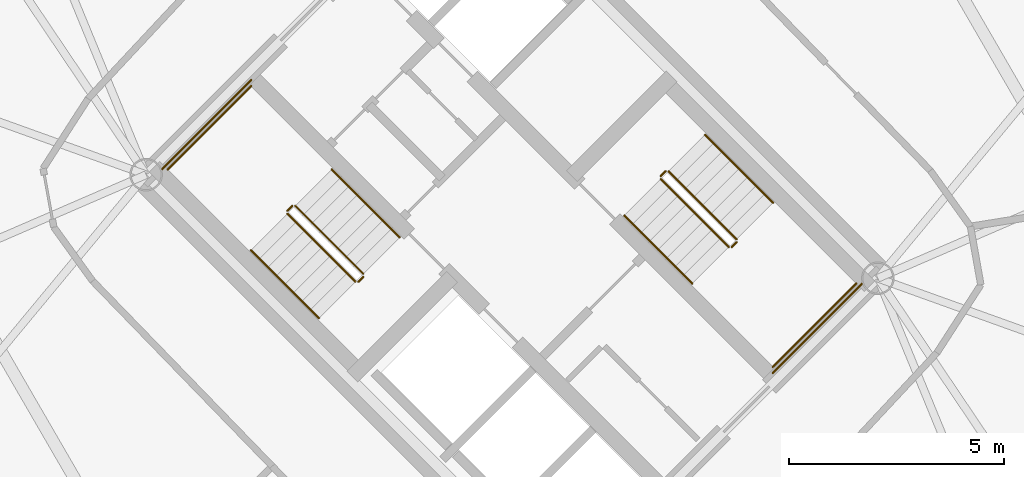
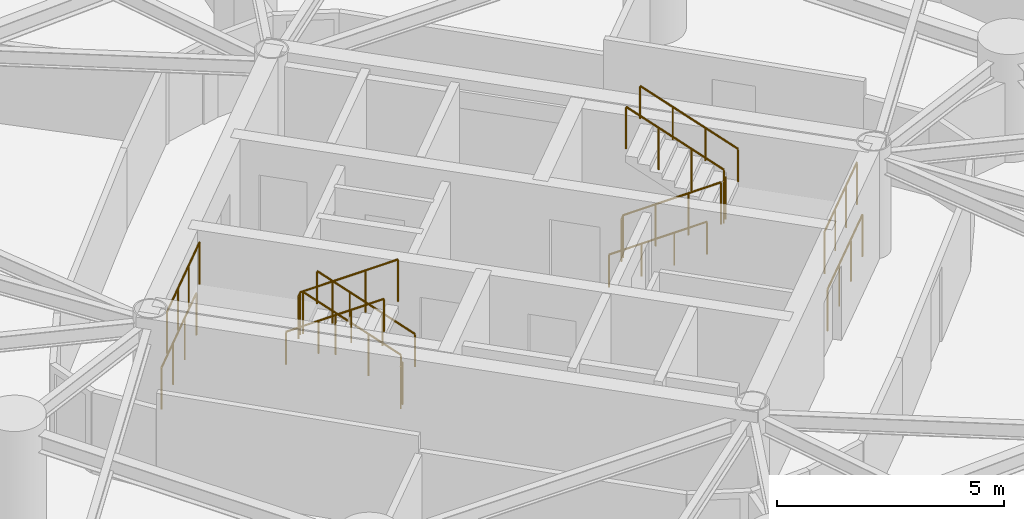
# One storey, part 17 of 18: 16 railings.
"""IFC4 building model written with IfcOpenShell, lengths in metres."""

from ifc_helpers import new_model, si_unit, direction, frame, origin, origin_2d, place, context, subcontext, project, spatial, circle, extrude, material, type_object, element, save


model = new_model("IFC4")

# Units and contexts
model_context = context("Model", 3, precision=1e-05, world=origin(), true_north=direction((0.0, 1.0)))
body_context = subcontext(model_context, "Body", "Model", "MODEL_VIEW")
ifc_project = project(units=[si_unit("LENGTHUNIT", "METRE"), si_unit("AREAUNIT", "SQUARE_METRE"), si_unit("VOLUMEUNIT", "CUBIC_METRE"), si_unit("PLANEANGLEUNIT", "RADIAN"), si_unit("MASSUNIT", "GRAM", prefix="KILO")], contexts=[model_context])

# Site, building, storey
site_placement = place(None, origin())
site = spatial("IfcSite", under=ifc_project, at=site_placement, CompositionType="ELEMENT")
building_placement = place(site_placement, origin())
building = spatial("IfcBuilding", under=site, at=building_placement, Name="Cununo Teusaquillo Station Towers", CompositionType="ELEMENT")
storey_placement = place(building_placement, frame((0.0, 0.0, 122.530029296875)))
storey = spatial("IfcBuildingStorey", under=building, at=storey_placement, Name="L39", CompositionType="ELEMENT", Elevation=122.530029296875)

# Railings
ifc_material_1 = material(Name="Steel EN 10025-2 S355J2", Category="steel")
railing_type_1 = type_object("IfcRailingType", Name="RL-INT-GUARD", PredefinedType="GUARDRAIL", material=ifc_material_1)
railing_1_placement = place(storey_placement, frame((54.03515625, 23.39697265625, 0.16162109375)))
element("IfcRailing", 1, at=railing_1_placement, inside=storey, type_object=railing_type_1, Name="L39 ST-T2-1 stair guard 1", PredefinedType="GUARDRAIL", context=body_context, shape_type="SweptSolid", body=[
    extrude(circle(Radius=0.02392578125, at=origin_2d()), frame((0.0, 0.0, 1.1259765625), z_axis=(-0.612332353853, 0.612332353853, 0.500098167213), x_axis=(-0.707106781187, -0.707106781187, 0.0)), (0.0, 0.0, 1.0), 2.58642578125),
    extrude(circle(Radius=0.02099609375, at=origin_2d()), origin(), (0.0, 0.0, 1.0), 1.101806640625),
    extrude(circle(Radius=0.02099609375, at=origin_2d()), frame((-0.52783203125, 0.52783203125, 0.43115234375)), (0.0, 0.0, 1.0), 1.101806640625),
    extrude(circle(Radius=0.02099609375, at=origin_2d()), frame((-1.055908203125, 1.055908203125, 0.8623046875)), (0.0, 0.0, 1.0), 1.101806640625),
    extrude(circle(Radius=0.02099609375, at=origin_2d()), frame((-1.583740234375, 1.583740234375, 1.29345703125)), (0.0, 0.0, 1.0), 1.101806640625),
])
railing_2_placement = place(storey_placement, frame((52.380615234375, 24.980712890625, 1.455078125)))
element("IfcRailing", 2, at=railing_2_placement, inside=storey, type_object=railing_type_1, Name="L39 ST-T2-1 stair guard 2", PredefinedType="GUARDRAIL", context=body_context, shape_type="SweptSolid", body=[
    extrude(circle(Radius=0.02392578125, at=origin_2d()), frame((0.0, 0.0, 1.1259765625), z_axis=(-0.7078691598, -0.706343579714, 0.0), x_axis=(0.706343579714, -0.7078691598, 0.0)), (0.0, 0.0, 1.0), 0.159912109375),
    extrude(circle(Radius=0.02099609375, at=origin_2d()), origin(), (0.0, 0.0, 1.0), 1.101806640625),
    extrude(circle(Radius=0.02099609375, at=origin_2d()), frame((-0.11328125, -0.113037109375, 0.0)), (0.0, 0.0, 1.0), 1.101806640625),
])
railing_3_placement = place(storey_placement, frame((51.426025390625, 27.77392578125, 1.455078125)))
element("IfcRailing", 3, at=railing_3_placement, inside=storey, type_object=railing_type_1, Name="L39 ST-T2-1 stair guard 3", PredefinedType="GUARDRAIL", context=body_context, shape_type="SweptSolid", body=[
    extrude(circle(Radius=0.02392578125, at=origin_2d()), frame((0.0, 0.0, 1.1259765625), z_axis=(-0.707106781187, -0.707106781187, 0.0), x_axis=(0.707106781187, -0.707106781187, 0.0)), (0.0, 0.0, 1.0), 2.760009765625),
    extrude(circle(Radius=0.02099609375, at=origin_2d()), origin(), (0.0, 0.0, 1.0), 1.101806640625),
    extrude(circle(Radius=0.02099609375, at=origin_2d()), frame((-0.650634765625, -0.650634765625, 0.0)), (0.0, 0.0, 1.0), 1.101806640625),
    extrude(circle(Radius=0.02099609375, at=origin_2d()), frame((-1.301025390625, -1.301025390625, 0.0)), (0.0, 0.0, 1.0), 1.101806640625),
    extrude(circle(Radius=0.02099609375, at=origin_2d()), frame((-1.95166015625, -1.95166015625, 0.0)), (0.0, 0.0, 1.0), 1.101806640625),
])
railing_4_placement = place(storey_placement, frame((52.267333984375, 24.796875, 1.61669921875)))
element("IfcRailing", 4, at=railing_4_placement, inside=storey, type_object=railing_type_1, Name="L39 ST-T2-1 stair guard 4", PredefinedType="GUARDRAIL", context=body_context, shape_type="SweptSolid", body=[
    extrude(circle(Radius=0.02392578125, at=origin_2d()), frame((0.0, 0.0, 1.1259765625), z_axis=(0.612420254088, -0.612325861324, 0.499998471934), x_axis=(0.707052281454, 0.707161276719, 0.0)), (0.0, 0.0, 1.0), 2.58642578125),
    extrude(circle(Radius=0.02099609375, at=origin_2d()), origin(), (0.0, 0.0, 1.0), 1.101806640625),
    extrude(circle(Radius=0.02099609375, at=origin_2d()), frame((0.528076171875, -0.52783203125, 0.43115234375)), (0.0, 0.0, 1.0), 1.101806640625),
    extrude(circle(Radius=0.02099609375, at=origin_2d()), frame((1.055908203125, -1.055908203125, 0.862060546875)), (0.0, 0.0, 1.0), 1.101806640625),
    extrude(circle(Radius=0.02099609375, at=origin_2d()), frame((1.583984375, -1.583740234375, 1.293212890625)), (0.0, 0.0, 1.0), 1.101806640625),
])
railing_5_placement = place(storey_placement, frame((54.03515625, 23.326171875, 0.0)))
element("IfcRailing", 5, at=railing_5_placement, inside=storey, type_object=railing_type_1, Name="L39 ST-T2-1 stair guard 5", PredefinedType="GUARDRAIL", context=body_context, shape_type="SweptSolid", body=[
    extrude(circle(Radius=0.02392578125, at=origin_2d()), frame((0.0, 0.0, 1.1259765625), z_axis=(-0.707106781187, -0.707106781187, 0.0), x_axis=(0.707106781187, -0.707106781187, 0.0)), (0.0, 0.0, 1.0), 0.159912109375),
    extrude(circle(Radius=0.02099609375, at=origin_2d()), origin(), (0.0, 0.0, 1.0), 1.101806640625),
    extrude(circle(Radius=0.02099609375, at=origin_2d()), frame((-0.113037109375, -0.113037109375, 0.0)), (0.0, 0.0, 1.0), 1.101806640625),
])
railing_6_placement = place(storey_placement, frame((51.426025390625, 27.915283203125, 0.0)))
element("IfcRailing", 6, at=railing_6_placement, inside=storey, type_object=railing_type_1, Name="L39 ST-T2-1 stair guard 6", PredefinedType="GUARDRAIL", context=body_context, shape_type="SweptSolid", body=[
    extrude(circle(Radius=0.02392578125, at=origin_2d()), frame((0.0, 0.0, 1.1259765625), z_axis=(-0.707106781187, -0.707106781187, 0.0), x_axis=(0.707106781187, -0.707106781187, 0.0)), (0.0, 0.0, 1.0), 2.9599609375),
    extrude(circle(Radius=0.02099609375, at=origin_2d()), origin(), (0.0, 0.0, 1.0), 1.101806640625),
    extrude(circle(Radius=0.02099609375, at=origin_2d()), frame((-0.69775390625, -0.69775390625, 0.0)), (0.0, 0.0, 1.0), 1.101806640625),
    extrude(circle(Radius=0.02099609375, at=origin_2d()), frame((-1.395263671875, -1.395263671875, 0.0)), (0.0, 0.0, 1.0), 1.101806640625),
    extrude(circle(Radius=0.02099609375, at=origin_2d()), frame((-2.093017578125, -2.093017578125, 0.0)), (0.0, 0.0, 1.0), 1.101806640625),
])
railing_7_placement = place(storey_placement, frame((60.96484375, 25.60302734375, 0.16162109375)))
element("IfcRailing", 7, at=railing_7_placement, inside=storey, type_object=railing_type_1, Name="L39 ST-T2-2 stair guard 1", PredefinedType="GUARDRAIL", context=body_context, shape_type="SweptSolid", body=[
    extrude(circle(Radius=0.02392578125, at=origin_2d()), frame((0.0, 0.0, 1.1259765625), z_axis=(0.612332353853, -0.612332353853, 0.500098167213), x_axis=(0.707106781187, 0.707106781187, 0.0)), (0.0, 0.0, 1.0), 2.58642578125),
    extrude(circle(Radius=0.02099609375, at=origin_2d()), origin(), (0.0, 0.0, 1.0), 1.101806640625),
    extrude(circle(Radius=0.02099609375, at=origin_2d()), frame((0.52783203125, -0.52783203125, 0.43115234375)), (0.0, 0.0, 1.0), 1.101806640625),
    extrude(circle(Radius=0.02099609375, at=origin_2d()), frame((1.055908203125, -1.055908203125, 0.8623046875)), (0.0, 0.0, 1.0), 1.101806640625),
    extrude(circle(Radius=0.02099609375, at=origin_2d()), frame((1.583740234375, -1.583740234375, 1.29345703125)), (0.0, 0.0, 1.0), 1.101806640625),
])
railing_8_placement = place(storey_placement, frame((62.619384765625, 24.019287109375, 1.455078125)))
element("IfcRailing", 8, at=railing_8_placement, inside=storey, type_object=railing_type_1, Name="L39 ST-T2-2 stair guard 2", PredefinedType="GUARDRAIL", context=body_context, shape_type="SweptSolid", body=[
    extrude(circle(Radius=0.02392578125, at=origin_2d()), frame((0.0, 0.0, 1.1259765625), z_axis=(0.7078691598, 0.706343579714, 0.0), x_axis=(-0.706343579714, 0.7078691598, 0.0)), (0.0, 0.0, 1.0), 0.159912109375),
    extrude(circle(Radius=0.02099609375, at=origin_2d()), origin(), (0.0, 0.0, 1.0), 1.101806640625),
    extrude(circle(Radius=0.02099609375, at=origin_2d()), frame((0.11328125, 0.113037109375, 0.0)), (0.0, 0.0, 1.0), 1.101806640625),
])
railing_9_placement = place(storey_placement, frame((63.573974609375, 21.22607421875, 1.455078125)))
element("IfcRailing", 9, at=railing_9_placement, inside=storey, type_object=railing_type_1, Name="L39 ST-T2-2 stair guard 3", PredefinedType="GUARDRAIL", context=body_context, shape_type="SweptSolid", body=[
    extrude(circle(Radius=0.02392578125, at=origin_2d()), frame((0.0, 0.0, 1.1259765625), z_axis=(0.707106781187, 0.707106781187, 0.0), x_axis=(-0.707106781187, 0.707106781187, 0.0)), (0.0, 0.0, 1.0), 2.760009765625),
    extrude(circle(Radius=0.02099609375, at=origin_2d()), origin(), (0.0, 0.0, 1.0), 1.101806640625),
    extrude(circle(Radius=0.02099609375, at=origin_2d()), frame((0.650634765625, 0.650634765625, 0.0)), (0.0, 0.0, 1.0), 1.101806640625),
    extrude(circle(Radius=0.02099609375, at=origin_2d()), frame((1.301025390625, 1.301025390625, 0.0)), (0.0, 0.0, 1.0), 1.101806640625),
    extrude(circle(Radius=0.02099609375, at=origin_2d()), frame((1.95166015625, 1.95166015625, 0.0)), (0.0, 0.0, 1.0), 1.101806640625),
])
railing_10_placement = place(storey_placement, frame((62.732666015625, 24.203125, 1.61669921875)))
element("IfcRailing", 10, at=railing_10_placement, inside=storey, type_object=railing_type_1, Name="L39 ST-T2-2 stair guard 4", PredefinedType="GUARDRAIL", context=body_context, shape_type="SweptSolid", body=[
    extrude(circle(Radius=0.02392578125, at=origin_2d()), frame((0.0, 0.0, 1.1259765625), z_axis=(-0.612420254088, 0.612325861324, 0.499998471934), x_axis=(-0.707052281454, -0.707161276719, 0.0)), (0.0, 0.0, 1.0), 2.58642578125),
    extrude(circle(Radius=0.02099609375, at=origin_2d()), origin(), (0.0, 0.0, 1.0), 1.101806640625),
    extrude(circle(Radius=0.02099609375, at=origin_2d()), frame((-0.528076171875, 0.52783203125, 0.43115234375)), (0.0, 0.0, 1.0), 1.101806640625),
    extrude(circle(Radius=0.02099609375, at=origin_2d()), frame((-1.055908203125, 1.055908203125, 0.862060546875)), (0.0, 0.0, 1.0), 1.101806640625),
    extrude(circle(Radius=0.02099609375, at=origin_2d()), frame((-1.583984375, 1.583740234375, 1.293212890625)), (0.0, 0.0, 1.0), 1.101806640625),
])
railing_11_placement = place(storey_placement, frame((60.96484375, 25.673828125, 0.0)))
element("IfcRailing", 11, at=railing_11_placement, inside=storey, type_object=railing_type_1, Name="L39 ST-T2-2 stair guard 5", PredefinedType="GUARDRAIL", context=body_context, shape_type="SweptSolid", body=[
    extrude(circle(Radius=0.02392578125, at=origin_2d()), frame((0.0, 0.0, 1.1259765625), z_axis=(0.707106781187, 0.707106781187, 0.0), x_axis=(-0.707106781187, 0.707106781187, 0.0)), (0.0, 0.0, 1.0), 0.159912109375),
    extrude(circle(Radius=0.02099609375, at=origin_2d()), origin(), (0.0, 0.0, 1.0), 1.101806640625),
    extrude(circle(Radius=0.02099609375, at=origin_2d()), frame((0.113037109375, 0.113037109375, 0.0)), (0.0, 0.0, 1.0), 1.101806640625),
])
railing_12_placement = place(storey_placement, frame((63.573974609375, 21.084716796875, 0.0)))
element("IfcRailing", 12, at=railing_12_placement, inside=storey, type_object=railing_type_1, Name="L39 ST-T2-2 stair guard 6", PredefinedType="GUARDRAIL", context=body_context, shape_type="SweptSolid", body=[
    extrude(circle(Radius=0.02392578125, at=origin_2d()), frame((0.0, 0.0, 1.1259765625), z_axis=(0.707106781187, 0.707106781187, 0.0), x_axis=(-0.707106781187, 0.707106781187, 0.0)), (0.0, 0.0, 1.0), 2.9599609375),
    extrude(circle(Radius=0.02099609375, at=origin_2d()), origin(), (0.0, 0.0, 1.0), 1.101806640625),
    extrude(circle(Radius=0.02099609375, at=origin_2d()), frame((0.69775390625, 0.69775390625, 0.0)), (0.0, 0.0, 1.0), 1.101806640625),
    extrude(circle(Radius=0.02099609375, at=origin_2d()), frame((1.395263671875, 1.395263671875, 0.0)), (0.0, 0.0, 1.0), 1.101806640625),
    extrude(circle(Radius=0.02099609375, at=origin_2d()), frame((2.093017578125, 2.093017578125, 0.0)), (0.0, 0.0, 1.0), 1.101806640625),
])
ifc_material_2 = material(Name="Steel EN 10025-2 S355J2", Category="steel")
railing_type_2 = type_object("IfcRailingType", Name="RL-INT-HRAIL", PredefinedType="HANDRAIL", material=ifc_material_2)
railing_13_placement = place(storey_placement, frame((54.8837890625, 24.245361328125, 0.16162109375)))
element("IfcRailing", 13, at=railing_13_placement, inside=storey, type_object=railing_type_2, Name="L39 ST-T2-1 stair handrail 1", PredefinedType="HANDRAIL", context=body_context, shape_type="SweptSolid", body=[
    extrude(circle(Radius=0.02392578125, at=origin_2d()), frame((0.0, 0.0, 0.8759765625), z_axis=(-0.612355957468, 0.612355957468, 0.500040361077), x_axis=(-0.707106781187, -0.707106781187, 0.0)), (0.0, 0.0, 1.0), 2.586669921875),
    extrude(circle(Radius=0.02099609375, at=origin_2d()), origin(), (0.0, 0.0, 1.0), 0.851806640625),
    extrude(circle(Radius=0.02099609375, at=origin_2d()), frame((-0.528076171875, 0.528076171875, 0.43115234375)), (0.0, 0.0, 1.0), 0.851806640625),
    extrude(circle(Radius=0.02099609375, at=origin_2d()), frame((-1.055908203125, 1.055908203125, 0.8623046875)), (0.0, 0.0, 1.0), 0.851806640625),
    extrude(circle(Radius=0.02099609375, at=origin_2d()), frame((-1.583984375, 1.583984375, 1.29345703125)), (0.0, 0.0, 1.0), 0.851806640625),
])
railing_14_placement = place(storey_placement, frame((51.4189453125, 23.948486328125, 1.61669921875)))
element("IfcRailing", 14, at=railing_14_placement, inside=storey, type_object=railing_type_2, Name="L39 ST-T2-1 stair handrail 2", PredefinedType="HANDRAIL", context=body_context, shape_type="SweptSolid", body=[
    extrude(circle(Radius=0.02392578125, at=origin_2d()), frame((0.0, 0.0, 0.8759765625), z_axis=(0.612384857071, -0.612384857071, 0.499969572735), x_axis=(0.707106781187, 0.707106781187, 0.0)), (0.0, 0.0, 1.0), 2.586669921875),
    extrude(circle(Radius=0.02099609375, at=origin_2d()), origin(), (0.0, 0.0, 1.0), 0.851806640625),
    extrude(circle(Radius=0.02099609375, at=origin_2d()), frame((0.528076171875, -0.528076171875, 0.43115234375)), (0.0, 0.0, 1.0), 0.851806640625),
    extrude(circle(Radius=0.02099609375, at=origin_2d()), frame((1.055908203125, -1.055908203125, 0.862060546875)), (0.0, 0.0, 1.0), 0.851806640625),
    extrude(circle(Radius=0.02099609375, at=origin_2d()), frame((1.583984375, -1.583984375, 1.293212890625)), (0.0, 0.0, 1.0), 0.851806640625),
])
railing_15_placement = place(storey_placement, frame((60.1162109375, 24.754638671875, 0.16162109375)))
element("IfcRailing", 15, at=railing_15_placement, inside=storey, type_object=railing_type_2, Name="L39 ST-T2-2 stair handrail 1", PredefinedType="HANDRAIL", context=body_context, shape_type="SweptSolid", body=[
    extrude(circle(Radius=0.02392578125, at=origin_2d()), frame((0.0, 0.0, 0.8759765625), z_axis=(0.612355957468, -0.612355957468, 0.500040361077), x_axis=(0.707106781187, 0.707106781187, 0.0)), (0.0, 0.0, 1.0), 2.586669921875),
    extrude(circle(Radius=0.02099609375, at=origin_2d()), origin(), (0.0, 0.0, 1.0), 0.851806640625),
    extrude(circle(Radius=0.02099609375, at=origin_2d()), frame((0.528076171875, -0.528076171875, 0.43115234375)), (0.0, 0.0, 1.0), 0.851806640625),
    extrude(circle(Radius=0.02099609375, at=origin_2d()), frame((1.055908203125, -1.055908203125, 0.8623046875)), (0.0, 0.0, 1.0), 0.851806640625),
    extrude(circle(Radius=0.02099609375, at=origin_2d()), frame((1.583984375, -1.583984375, 1.29345703125)), (0.0, 0.0, 1.0), 0.851806640625),
])
railing_16_placement = place(storey_placement, frame((63.5810546875, 25.051513671875, 1.61669921875)))
element("IfcRailing", 16, at=railing_16_placement, inside=storey, type_object=railing_type_2, Name="L39 ST-T2-2 stair handrail 2", PredefinedType="HANDRAIL", context=body_context, shape_type="SweptSolid", body=[
    extrude(circle(Radius=0.02392578125, at=origin_2d()), frame((0.0, 0.0, 0.8759765625), z_axis=(-0.612384857071, 0.612384857071, 0.499969572735), x_axis=(-0.707106781187, -0.707106781187, 0.0)), (0.0, 0.0, 1.0), 2.586669921875),
    extrude(circle(Radius=0.02099609375, at=origin_2d()), origin(), (0.0, 0.0, 1.0), 0.851806640625),
    extrude(circle(Radius=0.02099609375, at=origin_2d()), frame((-0.528076171875, 0.528076171875, 0.43115234375)), (0.0, 0.0, 1.0), 0.851806640625),
    extrude(circle(Radius=0.02099609375, at=origin_2d()), frame((-1.055908203125, 1.055908203125, 0.862060546875)), (0.0, 0.0, 1.0), 0.851806640625),
    extrude(circle(Radius=0.02099609375, at=origin_2d()), frame((-1.583984375, 1.583984375, 1.293212890625)), (0.0, 0.0, 1.0), 0.851806640625),
])

save(model, "model.ifc")
